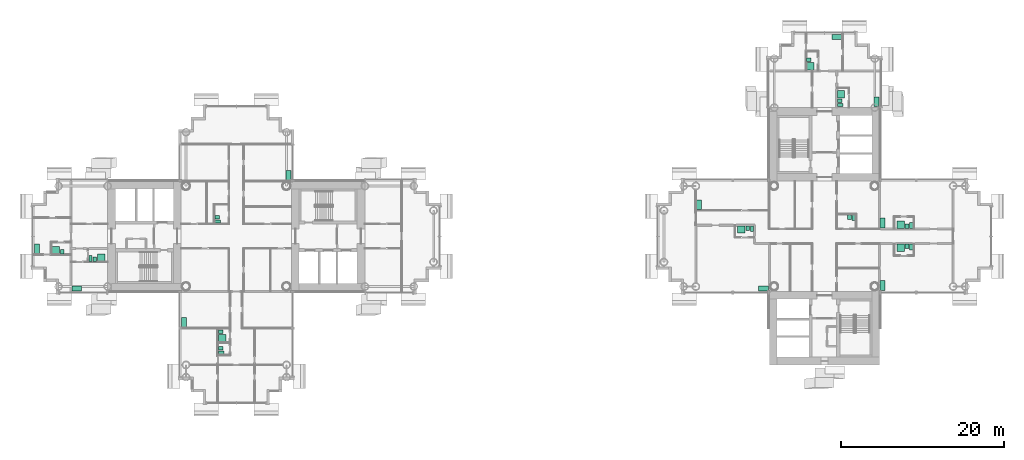
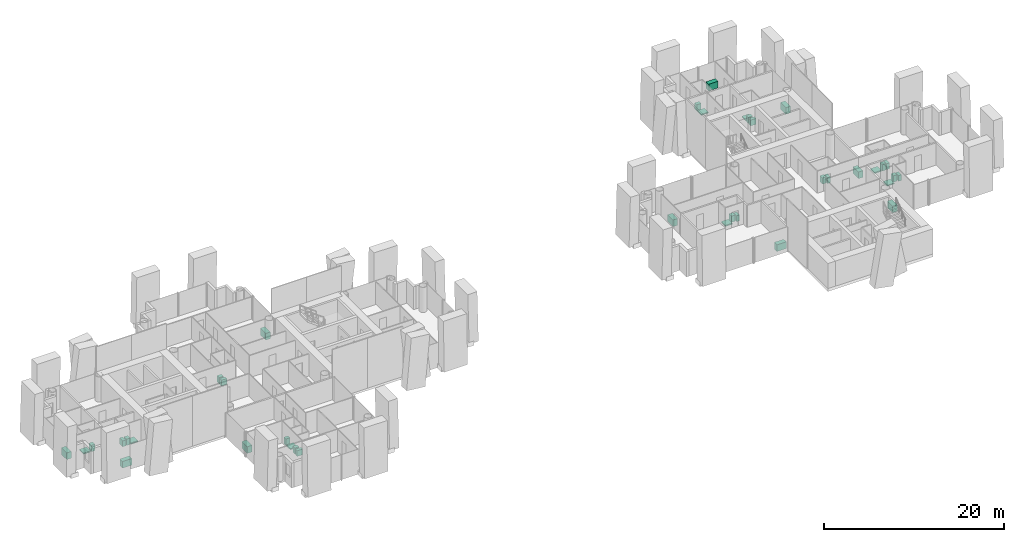
# One storey, part 21 of 21: 37 sanitary terminals.
"""IFC4 building model written with IfcOpenShell, lengths in metres."""

from ifc_helpers import new_model, si_unit, direction, frame, origin, origin_2d, place, context, subcontext, project, spatial, rectangle, extrude, material, type_object, element, save


model = new_model("IFC4")

# Units and contexts
model_context = context("Model", 3, precision=1e-05, world=origin(), true_north=direction((0.0, 1.0)))
body_context = subcontext(model_context, "Body", "Model", "MODEL_VIEW")
ifc_project = project(units=[si_unit("LENGTHUNIT", "METRE"), si_unit("AREAUNIT", "SQUARE_METRE"), si_unit("VOLUMEUNIT", "CUBIC_METRE"), si_unit("PLANEANGLEUNIT", "RADIAN"), si_unit("MASSUNIT", "GRAM", prefix="KILO")], contexts=[model_context])

# Site, building, storey
site_placement = place(None, origin())
site = spatial("IfcSite", under=ifc_project, at=site_placement, CompositionType="ELEMENT")
building_placement = place(site_placement, origin())
building = spatial("IfcBuilding", under=site, at=building_placement, Name="Ipe Terrace Towers", CompositionType="ELEMENT")
storey_placement = place(building_placement, frame((0.0, 0.0, 93.60009765625)))
storey = spatial("IfcBuildingStorey", under=building, at=storey_placement, Name="L25", CompositionType="ELEMENT", Elevation=93.60009765625)

# Sanitary terminals
ifc_material_1 = material(Name="Stainless sink unit", Category="metal")
sanitary_terminal_type_1 = type_object("IfcSanitaryTerminalType", Name="Kitchen sink unit", PredefinedType="SINK", material=ifc_material_1)
for number, where, z_axis, x_axis, name in (
    (1, (-29.6201171875, 7.469970703125, 0.0), (0.0, 0.0, 1.0), (0.0, -1.0, 0.0), "Kitchen sink unit"),
    (2, (-42.3798828125, -10.530029296875, 0.0), (0.0, 0.0, 1.0), (0.0, 1.0, 0.0), "Kitchen sink unit"),
    (3, (-55.530029296875, -6.3798828125, 0.0), (0.0, 0.0, 1.0), (-1.0, 0.0, 0.0), "Kitchen sink unit"),
    (4, (-60.3798828125, -1.530029296875, 0.0), (0.0, 0.0, 1.0), (0.0, 1.0, 0.0), "Kitchen sink unit"),
    (5, (28.530029296875, -6.3798828125, 0.0), (0.0, 0.0, 1.0), (-1.0, 0.0, 0.0), "Kitchen sink unit"),
    (6, (20.6201171875, 3.8701171875, 0.0), (0.0, 0.0, 1.0), (0.0, 1.0, 0.0), "Kitchen sink unit"),
    (7, (43.1201171875, 1.6201171875, 0.0), (0.0, 0.0, 1.0), (0.0, 1.0, 0.0), "Kitchen sink unit"),
    (8, (43.1201171875, -6.030029296875, 0.0), (0.0, 0.0, 1.0), (0.0, 1.0, 0.0), "Kitchen sink unit"),
    (9, (42.3798828125, 16.469970703125, 0.0), (0.0, 0.0, 1.0), (0.0, -1.0, 0.0), "Kitchen sink unit"),
    (10, (37.530029296875, 24.3798828125, 0.0), (0.0, 0.0, 1.0), (1.0, 0.0, 0.0), "Kitchen sink unit"),
):
    element("IfcSanitaryTerminal", number, at=place(storey_placement, frame(where, z_axis=z_axis, x_axis=x_axis)), inside=storey, type_object=sanitary_terminal_type_1, Name=name, PredefinedType="SINK", context=body_context, shape_type="SweptSolid", body=[
        extrude(rectangle(XDim=1.199951171875, YDim=0.60009765625, at=origin_2d()), origin(), (0.0, 0.0, 1.0), 0.89990234375),
    ])
ifc_material_2 = material(Name="Acrylic", Category="plastic")
sanitary_terminal_type_2 = type_object("IfcSanitaryTerminalType", Name="Shower tray", PredefinedType="SHOWER", material=ifc_material_2)
for number, where, z_axis, x_axis, name in (
    (11, (-37.72998046875, -12.47998046875, 0.0), (0.0, 0.0, 1.0), (1.0, 0.0, 0.0), "Shower tray"),
    (12, (-52.530029296875, -2.6298828125, 0.0), (0.0, 0.0, 1.0), (0.0, 1.0, 0.0), "Shower tray"),
    (13, (-58.080078125, -1.72998046875, 0.0), (0.0, 0.0, 1.0), (0.0, 1.0, 0.0), "Shower tray"),
    (14, (25.830078125, 0.830078125, 0.0), (0.0, 0.0, 1.0), (0.0, -1.0, 0.0), "Shower tray"),
    (15, (45.330078125, 1.419921875, 0.0), (0.0, 0.0, 1.0), (0.0, 1.0, 0.0), "Shower tray"),
    (16, (45.330078125, -1.419921875, 0.0), (0.0, 0.0, 1.0), (0.0, -1.0, 0.0), "Shower tray"),
    (17, (38.02001953125, 17.3701171875, 0.0), (0.0, 0.0, 1.0), (1.0, 0.0, 0.0), "Shower tray"),
    (18, (34.27001953125, 20.820068359375, 0.0), (0.0, 0.0, 1.0), (1.0, 0.0, 0.0), "Shower tray"),
):
    element("IfcSanitaryTerminal", number, at=place(storey_placement, frame(where, z_axis=z_axis, x_axis=x_axis)), inside=storey, type_object=sanitary_terminal_type_2, Name=name, PredefinedType="SHOWER", context=body_context, shape_type="SweptSolid", body=[
        extrude(rectangle(XDim=0.89990234375, YDim=0.89990234375, at=origin_2d()), origin(), (0.0, 0.0, 1.0), 0.14990234375),
    ])
ifc_material_3 = material(Name="Vitreous china", Category="ceramic")
sanitary_terminal_type_3 = type_object("IfcSanitaryTerminalType", Name="Wash basin", PredefinedType="WASHHANDBASIN", material=ifc_material_3)
for number, where, z_axis, x_axis, name in (
    (19, (-38.35498046875, 2.344970703125, -0.000244140625), (0.0, 0.0, 1.0), (1.0, 0.0, 0.0), "Wash basin"),
    (20, (-37.905029296875, -11.705078125, -0.000244140625), (0.0, 0.0, 1.0), (1.0, 0.0, 0.0), "Wash basin"),
    (21, (-37.905029296875, -13.705078125, -0.000244140625), (0.0, 0.0, 1.0), (1.0, 0.0, 0.0), "Wash basin"),
    (22, (-53.304931640625, -2.804931640625, -0.000244140625), (0.0, 0.0, 1.0), (0.0, 1.0, 0.0), "Wash basin"),
    (23, (-57.304931640625, -1.905029296875, -0.000244140625), (0.0, 0.0, 1.0), (0.0, 1.0, 0.0), "Wash basin"),
    (24, (39.054931640625, 2.35498046875, -0.000244140625), (0.0, 0.0, 1.0), (0.0, -1.0, 0.0), "Wash basin"),
    (25, (26.60498046875, 1.0048828125, -0.000244140625), (0.0, 0.0, 1.0), (0.0, -1.0, 0.0), "Wash basin"),
    (26, (46.10498046875, 1.2451171875, -0.000244140625), (0.0, 0.0, 1.0), (0.0, 1.0, 0.0), "Wash basin"),
    (27, (46.10498046875, -1.2451171875, -0.000244140625), (0.0, 0.0, 1.0), (0.0, -1.0, 0.0), "Wash basin"),
    (28, (37.844970703125, 16.594970703125, -0.000244140625), (0.0, 0.0, 1.0), (1.0, 0.0, 0.0), "Wash basin"),
    (29, (34.094970703125, 21.594970703125, -0.000244140625), (0.0, 0.0, 1.0), (1.0, 0.0, 0.0), "Wash basin"),
):
    element("IfcSanitaryTerminal", number, at=place(storey_placement, frame(where, z_axis=z_axis, x_axis=x_axis)), inside=storey, type_object=sanitary_terminal_type_3, Name=name, PredefinedType="WASHHANDBASIN", context=body_context, shape_type="SweptSolid", body=[
        extrude(rectangle(XDim=0.550048828125, YDim=0.449951171875, at=origin_2d()), origin(), (0.0, 0.0, 1.0), 0.85009765625),
    ])
ifc_material_4 = material(Name="Vitreous china", Category="ceramic")
sanitary_terminal_type_4 = type_object("IfcSanitaryTerminalType", Name="Water closet", PredefinedType="TOILETPAN", material=ifc_material_4)
for number, where, z_axis, x_axis, name in (
    (30, (-38.280029296875, 1.820068359375, 0.0), (0.0, 0.0, 1.0), (1.0, 0.0, 0.0), "Water closet"),
    (31, (-37.830078125, -14.22998046875, 0.0), (0.0, 0.0, 1.0), (1.0, 0.0, 0.0), "Water closet"),
    (32, (-53.830078125, -2.72998046875, 0.0), (0.0, 0.0, 1.0), (0.0, 1.0, 0.0), "Water closet"),
    (33, (39.580078125, 2.280029296875, 0.0), (0.0, 0.0, 1.0), (0.0, -1.0, 0.0), "Water closet"),
    (34, (27.1298828125, 0.929931640625, 0.0), (0.0, 0.0, 1.0), (0.0, -1.0, 0.0), "Water closet"),
    (35, (46.6298828125, 1.320068359375, 0.0), (0.0, 0.0, 1.0), (0.0, 1.0, 0.0), "Water closet"),
    (36, (46.6298828125, -1.320068359375, 0.0), (0.0, 0.0, 1.0), (0.0, -1.0, 0.0), "Water closet"),
    (37, (37.919921875, 16.070068359375, 0.0), (0.0, 0.0, 1.0), (1.0, 0.0, 0.0), "Water closet"),
):
    element("IfcSanitaryTerminal", number, at=place(storey_placement, frame(where, z_axis=z_axis, x_axis=x_axis)), inside=storey, type_object=sanitary_terminal_type_4, Name=name, PredefinedType="TOILETPAN", context=body_context, shape_type="SweptSolid", body=[
        extrude(rectangle(XDim=0.699951171875, YDim=0.39990234375, at=origin_2d()), origin(), (0.0, 0.0, 1.0), 0.780029296875),
    ])

save(model, "model.ifc")
